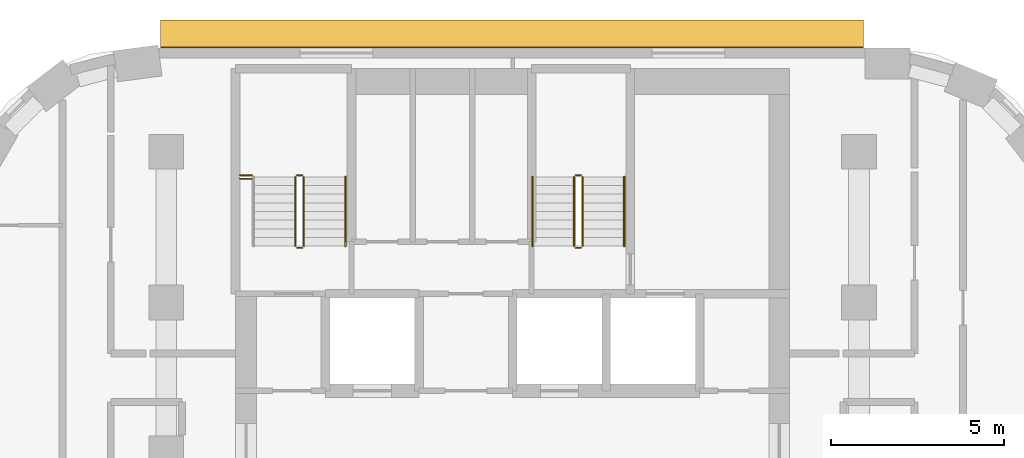
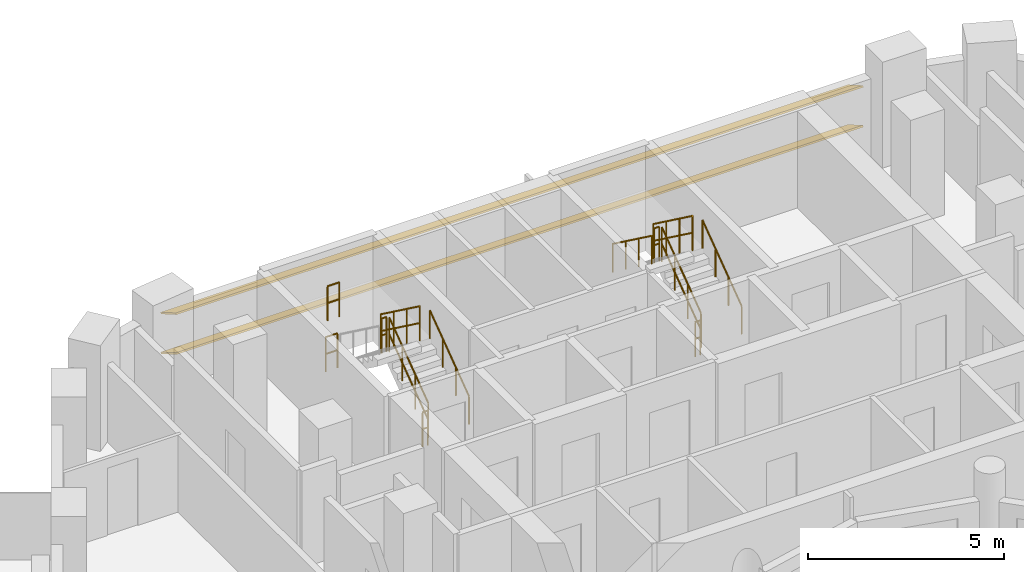
# One storey, part 13 of 13: 13 railings, 2 shading devices.
"""IFC4 building model written with IfcOpenShell, lengths in metres."""

from ifc_helpers import new_model, si_unit, direction, frame, origin, origin_2d, place, context, subcontext, project, spatial, rectangle, circle, extrude, material, material_profile, profile_set, type_object, element, save


model = new_model("IFC4")

# Units and contexts
model_context = context("Model", 3, precision=1e-05, world=origin(), true_north=direction((0.0, 1.0)))
body_context = subcontext(model_context, "Body", "Model", "MODEL_VIEW")
ifc_project = project(units=[si_unit("LENGTHUNIT", "METRE"), si_unit("AREAUNIT", "SQUARE_METRE"), si_unit("VOLUMEUNIT", "CUBIC_METRE"), si_unit("PLANEANGLEUNIT", "RADIAN"), si_unit("MASSUNIT", "GRAM", prefix="KILO")], contexts=[model_context])

# Site, building, storey
site_placement = place(None, origin())
site = spatial("IfcSite", under=ifc_project, at=site_placement, CompositionType="ELEMENT")
building_placement = place(site_placement, origin())
building = spatial("IfcBuilding", under=site, at=building_placement, Name="Nakaniwa Court", CompositionType="ELEMENT")
storey_placement = place(building_placement, frame((0.0, 0.0, 140.39990234375)))
storey = spatial("IfcBuildingStorey", under=building, at=storey_placement, Name="L36", CompositionType="ELEMENT", Elevation=140.39990234375)

# Shading devices
ifc_material_1 = material(Name="Perforated charcoal ceramic louvre blade")
ifc_material_profile = material_profile(ifc_material_1, rectangle(XDim=0.89990234375, YDim=0.050048828125, at=origin_2d()), Name="Perforated ceramic louvre blade")
ifc_profile_set = profile_set([ifc_material_profile], Name="Perforated charcoal ceramic louvre blade")
shading_device_type = type_object("IfcShadingDeviceType", Name="Perforated ceramic louvre blade", PredefinedType="JALOUSIE", material=ifc_profile_set)
for number, where, z_axis, x_axis, name in (
    (1, (90.128662109375, 104.402099609375, 0.550048828125), (-1.0, 0.0, 0.0), (0.0, -0.866025403784, 0.5), "L36 perforated ceramic louvre blade w08 1"),
    (2, (90.128662109375, 104.402099609375, 1.79345703125), (-1.0, 0.0, 0.0), (0.0, -0.866025403784, 0.5), "L36 perforated ceramic louvre blade w08 2"),
):
    element("IfcShadingDevice", number, at=place(storey_placement, frame(where, z_axis=z_axis, x_axis=x_axis)), inside=storey, type_object=shading_device_type, Name=name, PredefinedType="JALOUSIE", context=body_context, shape_type="SweptSolid", body=[
        extrude(rectangle(XDim=0.89990234375, YDim=0.050048828125, at=origin_2d()), origin(), (0.0, 0.0, 1.0), 20.291259765625),
    ])

# Railings
ifc_material_2 = material(Name="Black powder coated steel guard", Category="steel")
railing_type_1 = type_object("IfcRailingType", Name="Stair guard 1100", PredefinedType="GUARDRAIL", material=ifc_material_2)
railing_1_placement = place(storey_placement, frame((73.97509765625, 98.27490234375, 0.183349609375)))
element("IfcRailing", 3, at=railing_1_placement, inside=storey, type_object=railing_type_1, Name="L36 ST1 stair guard 1", PredefinedType="GUARDRAIL", context=body_context, shape_type="SweptSolid", body=[
    extrude(circle(Radius=0.02392578125, at=origin_2d()), frame((0.0, 0.0, 1.076171875), z_axis=(0.0, 0.806379959628, 0.591397802423), x_axis=(-1.0, 0.0, 0.0)), (0.0, 0.0, 1.0), 2.480224609375),
    extrude(circle(Radius=0.02392578125, at=origin_2d()), frame((0.0, 0.0, 0.550048828125), z_axis=(0.0, 0.806379959628, 0.591397802423), x_axis=(-1.0, 0.0, 0.0)), (0.0, 0.0, 1.0), 2.480224609375),
    extrude(circle(Radius=0.02099609375, at=origin_2d()), origin(), (0.0, 0.0, 1.0), 1.052001953125),
    extrude(circle(Radius=0.02099609375, at=origin_2d()), frame((0.0, 0.666748046875, 0.489013671875)), (0.0, 0.0, 1.0), 1.052001953125),
    extrude(circle(Radius=0.02099609375, at=origin_2d()), frame((0.0, 1.333251953125, 0.977783203125)), (0.0, 0.0, 1.0), 1.052001953125),
    extrude(circle(Radius=0.02099609375, at=origin_2d()), frame((0.0, 2.0, 1.466796875)), (0.0, 0.0, 1.0), 1.052001953125),
])
railing_2_placement = place(storey_placement, frame((73.925048828125, 100.324951171875, 1.650146484375)))
element("IfcRailing", 4, at=railing_2_placement, inside=storey, type_object=railing_type_1, Name="L36 ST1 stair guard 2", PredefinedType="GUARDRAIL", context=body_context, shape_type="SweptSolid", body=[
    extrude(circle(Radius=0.02392578125, at=origin_2d()), frame((0.0, 0.0, 1.076171875), z_axis=(-1.0, 0.0, 0.0), x_axis=(0.0, -1.0, 0.0)), (0.0, 0.0, 1.0), 0.150146484375),
    extrude(circle(Radius=0.02392578125, at=origin_2d()), frame((0.0, 0.0, 0.550048828125), z_axis=(-1.0, 0.0, 0.0), x_axis=(0.0, -1.0, 0.0)), (0.0, 0.0, 1.0), 0.150146484375),
    extrude(circle(Radius=0.02099609375, at=origin_2d()), origin(), (0.0, 0.0, 1.0), 1.052001953125),
    extrude(circle(Radius=0.02099609375, at=origin_2d()), frame((-0.150146484375, 0.0, 0.0)), (0.0, 0.0, 1.0), 1.052001953125),
])
railing_3_placement = place(storey_placement, frame((73.72509765625, 100.27490234375, 1.83349609375)))
element("IfcRailing", 5, at=railing_3_placement, inside=storey, type_object=railing_type_1, Name="L36 ST1 stair guard 3", PredefinedType="GUARDRAIL", context=body_context, shape_type="SweptSolid", body=[
    extrude(circle(Radius=0.02392578125, at=origin_2d()), frame((0.0, 0.0, 1.076171875), z_axis=(0.0, -0.806426902644, 0.591333789573), x_axis=(1.0, 0.0, 0.0)), (0.0, 0.0, 1.0), 2.47998046875),
    extrude(circle(Radius=0.02392578125, at=origin_2d()), frame((0.0, 0.0, 0.550048828125), z_axis=(0.0, -0.806426902644, 0.591333789573), x_axis=(1.0, 0.0, 0.0)), (0.0, 0.0, 1.0), 2.47998046875),
    extrude(circle(Radius=0.02099609375, at=origin_2d()), origin(), (0.0, 0.0, 1.0), 1.052001953125),
    extrude(circle(Radius=0.02099609375, at=origin_2d()), frame((0.0, -0.666748046875, 0.48876953125)), (0.0, 0.0, 1.0), 1.052001953125),
    extrude(circle(Radius=0.02099609375, at=origin_2d()), frame((0.0, -1.333251953125, 0.977783203125)), (0.0, 0.0, 1.0), 1.052001953125),
    extrude(circle(Radius=0.02099609375, at=origin_2d()), frame((0.0, -2.0, 1.466552734375)), (0.0, 0.0, 1.0), 1.052001953125),
])
railing_4_placement = place(storey_placement, frame((73.925048828125, 98.22509765625, 0.0)))
element("IfcRailing", 6, at=railing_4_placement, inside=storey, type_object=railing_type_1, Name="L36 ST1 stair guard 4", PredefinedType="GUARDRAIL", context=body_context, shape_type="SweptSolid", body=[
    extrude(circle(Radius=0.02392578125, at=origin_2d()), frame((0.0, 0.0, 1.076171875), z_axis=(-1.0, 0.0, 0.0), x_axis=(0.0, -1.0, 0.0)), (0.0, 0.0, 1.0), 0.150146484375),
    extrude(circle(Radius=0.02392578125, at=origin_2d()), frame((0.0, 0.0, 0.550048828125), z_axis=(-1.0, 0.0, 0.0), x_axis=(0.0, -1.0, 0.0)), (0.0, 0.0, 1.0), 0.150146484375),
    extrude(circle(Radius=0.02099609375, at=origin_2d()), origin(), (0.0, 0.0, 1.0), 1.052001953125),
    extrude(circle(Radius=0.02099609375, at=origin_2d()), frame((-0.150146484375, 0.0, 0.0)), (0.0, 0.0, 1.0), 1.052001953125),
])
for number, where, name in (
    (7, (72.125, 100.324951171875, 1.650146484375), "L36 ST1 landing side guard 1W"),
    (8, (72.125, 100.22509765625, 3.300048828125), "L36 ST1 floor edge guard 1W"),
):
    element("IfcRailing", number, at=place(storey_placement, frame(where)), inside=storey, type_object=railing_type_1, Name=name, PredefinedType="GUARDRAIL", context=body_context, shape_type="SweptSolid", body=[
        extrude(circle(Radius=0.02392578125, at=origin_2d()), frame((0.0, 0.0, 1.076171875), z_axis=(1.0, 0.0, 0.0), x_axis=(0.0, 1.0, 0.0)), (0.0, 0.0, 1.0), 0.35009765625),
        extrude(circle(Radius=0.02392578125, at=origin_2d()), frame((0.0, 0.0, 0.550048828125), z_axis=(1.0, 0.0, 0.0), x_axis=(0.0, 1.0, 0.0)), (0.0, 0.0, 1.0), 0.35009765625),
        extrude(circle(Radius=0.02099609375, at=origin_2d()), origin(), (0.0, 0.0, 1.0), 1.052001953125),
        extrude(circle(Radius=0.02099609375, at=origin_2d()), frame((0.35009765625, 0.0, 0.0)), (0.0, 0.0, 1.0), 1.052001953125),
    ])
railing_5_placement = place(storey_placement, frame((82.02490234375, 98.27490234375, 0.183349609375)))
element("IfcRailing", 9, at=railing_5_placement, inside=storey, type_object=railing_type_1, Name="L36 ST2 stair guard 1", PredefinedType="GUARDRAIL", context=body_context, shape_type="SweptSolid", body=[
    extrude(circle(Radius=0.02392578125, at=origin_2d()), frame((0.0, 0.0, 1.076171875), z_axis=(0.0, 0.806379959628, 0.591397802423), x_axis=(-1.0, 0.0, 0.0)), (0.0, 0.0, 1.0), 2.480224609375),
    extrude(circle(Radius=0.02392578125, at=origin_2d()), frame((0.0, 0.0, 0.550048828125), z_axis=(0.0, 0.806379959628, 0.591397802423), x_axis=(-1.0, 0.0, 0.0)), (0.0, 0.0, 1.0), 2.480224609375),
    extrude(circle(Radius=0.02099609375, at=origin_2d()), origin(), (0.0, 0.0, 1.0), 1.052001953125),
    extrude(circle(Radius=0.02099609375, at=origin_2d()), frame((0.0, 0.666748046875, 0.489013671875)), (0.0, 0.0, 1.0), 1.052001953125),
    extrude(circle(Radius=0.02099609375, at=origin_2d()), frame((0.0, 1.333251953125, 0.977783203125)), (0.0, 0.0, 1.0), 1.052001953125),
    extrude(circle(Radius=0.02099609375, at=origin_2d()), frame((0.0, 2.0, 1.466796875)), (0.0, 0.0, 1.0), 1.052001953125),
])
railing_6_placement = place(storey_placement, frame((81.97509765625, 100.324951171875, 1.650146484375)))
element("IfcRailing", 10, at=railing_6_placement, inside=storey, type_object=railing_type_1, Name="L36 ST2 stair guard 2", PredefinedType="GUARDRAIL", context=body_context, shape_type="SweptSolid", body=[
    extrude(circle(Radius=0.02392578125, at=origin_2d()), frame((0.0, 0.0, 1.076171875), z_axis=(-1.0, 0.0, 0.0), x_axis=(0.0, -1.0, 0.0)), (0.0, 0.0, 1.0), 0.150146484375),
    extrude(circle(Radius=0.02392578125, at=origin_2d()), frame((0.0, 0.0, 0.550048828125), z_axis=(-1.0, 0.0, 0.0), x_axis=(0.0, -1.0, 0.0)), (0.0, 0.0, 1.0), 0.150146484375),
    extrude(circle(Radius=0.02099609375, at=origin_2d()), origin(), (0.0, 0.0, 1.0), 1.052001953125),
    extrude(circle(Radius=0.02099609375, at=origin_2d()), frame((-0.150146484375, 0.0, 0.0)), (0.0, 0.0, 1.0), 1.052001953125),
])
railing_7_placement = place(storey_placement, frame((81.77490234375, 100.27490234375, 1.83349609375)))
element("IfcRailing", 11, at=railing_7_placement, inside=storey, type_object=railing_type_1, Name="L36 ST2 stair guard 3", PredefinedType="GUARDRAIL", context=body_context, shape_type="SweptSolid", body=[
    extrude(circle(Radius=0.02392578125, at=origin_2d()), frame((0.0, 0.0, 1.076171875), z_axis=(0.0, -0.806426902644, 0.591333789573), x_axis=(1.0, 0.0, 0.0)), (0.0, 0.0, 1.0), 2.47998046875),
    extrude(circle(Radius=0.02392578125, at=origin_2d()), frame((0.0, 0.0, 0.550048828125), z_axis=(0.0, -0.806426902644, 0.591333789573), x_axis=(1.0, 0.0, 0.0)), (0.0, 0.0, 1.0), 2.47998046875),
    extrude(circle(Radius=0.02099609375, at=origin_2d()), origin(), (0.0, 0.0, 1.0), 1.052001953125),
    extrude(circle(Radius=0.02099609375, at=origin_2d()), frame((0.0, -0.666748046875, 0.48876953125)), (0.0, 0.0, 1.0), 1.052001953125),
    extrude(circle(Radius=0.02099609375, at=origin_2d()), frame((0.0, -1.333251953125, 0.977783203125)), (0.0, 0.0, 1.0), 1.052001953125),
    extrude(circle(Radius=0.02099609375, at=origin_2d()), frame((0.0, -2.0, 1.466552734375)), (0.0, 0.0, 1.0), 1.052001953125),
])
railing_8_placement = place(storey_placement, frame((81.97509765625, 98.22509765625, 0.0)))
element("IfcRailing", 12, at=railing_8_placement, inside=storey, type_object=railing_type_1, Name="L36 ST2 stair guard 4", PredefinedType="GUARDRAIL", context=body_context, shape_type="SweptSolid", body=[
    extrude(circle(Radius=0.02392578125, at=origin_2d()), frame((0.0, 0.0, 1.076171875), z_axis=(-1.0, 0.0, 0.0), x_axis=(0.0, -1.0, 0.0)), (0.0, 0.0, 1.0), 0.150146484375),
    extrude(circle(Radius=0.02392578125, at=origin_2d()), frame((0.0, 0.0, 0.550048828125), z_axis=(-1.0, 0.0, 0.0), x_axis=(0.0, -1.0, 0.0)), (0.0, 0.0, 1.0), 0.150146484375),
    extrude(circle(Radius=0.02099609375, at=origin_2d()), origin(), (0.0, 0.0, 1.0), 1.052001953125),
    extrude(circle(Radius=0.02099609375, at=origin_2d()), frame((-0.150146484375, 0.0, 0.0)), (0.0, 0.0, 1.0), 1.052001953125),
])
ifc_material_3 = material(Name="Black powder coated steel handrail", Category="steel")
railing_type_2 = type_object("IfcRailingType", Name="Stair handrail 900", PredefinedType="HANDRAIL", material=ifc_material_3)
for number, where, name in (
    (13, (75.175048828125, 98.27490234375, 0.183349609375), "L36 ST1 stair handrail 1"),
    (14, (83.22509765625, 98.27490234375, 0.183349609375), "L36 ST2 stair handrail 1"),
):
    element("IfcRailing", number, at=place(storey_placement, frame(where)), inside=storey, type_object=railing_type_2, Name=name, PredefinedType="HANDRAIL", context=body_context, shape_type="SweptSolid", body=[
        extrude(circle(Radius=0.02392578125, at=origin_2d()), frame((0.0, 0.0, 0.8759765625), z_axis=(0.0, 0.806379959628, 0.591397802423), x_axis=(-1.0, 0.0, 0.0)), (0.0, 0.0, 1.0), 2.480224609375),
        extrude(circle(Radius=0.02099609375, at=origin_2d()), origin(), (0.0, 0.0, 1.0), 0.851806640625),
        extrude(circle(Radius=0.02099609375, at=origin_2d()), frame((0.0, 0.666748046875, 0.489013671875)), (0.0, 0.0, 1.0), 0.851806640625),
        extrude(circle(Radius=0.02099609375, at=origin_2d()), frame((0.0, 1.333251953125, 0.977783203125)), (0.0, 0.0, 1.0), 0.851806640625),
        extrude(circle(Radius=0.02099609375, at=origin_2d()), frame((0.0, 2.0, 1.466796875)), (0.0, 0.0, 1.0), 0.851806640625),
    ])
railing_9_placement = place(storey_placement, frame((80.574951171875, 100.27490234375, 1.83349609375)))
element("IfcRailing", 15, at=railing_9_placement, inside=storey, type_object=railing_type_2, Name="L36 ST2 stair handrail 2", PredefinedType="HANDRAIL", context=body_context, shape_type="SweptSolid", body=[
    extrude(circle(Radius=0.02392578125, at=origin_2d()), frame((0.0, 0.0, 0.8759765625), z_axis=(0.0, -0.806426902644, 0.591333789573), x_axis=(1.0, 0.0, 0.0)), (0.0, 0.0, 1.0), 2.47998046875),
    extrude(circle(Radius=0.02099609375, at=origin_2d()), origin(), (0.0, 0.0, 1.0), 0.851806640625),
    extrude(circle(Radius=0.02099609375, at=origin_2d()), frame((0.0, -0.666748046875, 0.48876953125)), (0.0, 0.0, 1.0), 0.851806640625),
    extrude(circle(Radius=0.02099609375, at=origin_2d()), frame((0.0, -1.333251953125, 0.977783203125)), (0.0, 0.0, 1.0), 0.851806640625),
    extrude(circle(Radius=0.02099609375, at=origin_2d()), frame((0.0, -2.0, 1.466552734375)), (0.0, 0.0, 1.0), 0.851806640625),
])

save(model, "model.ifc")
